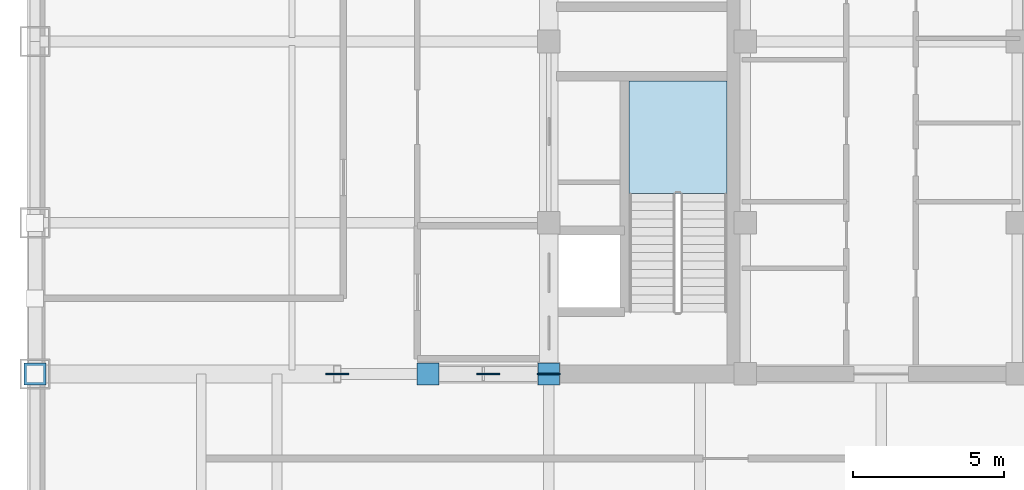
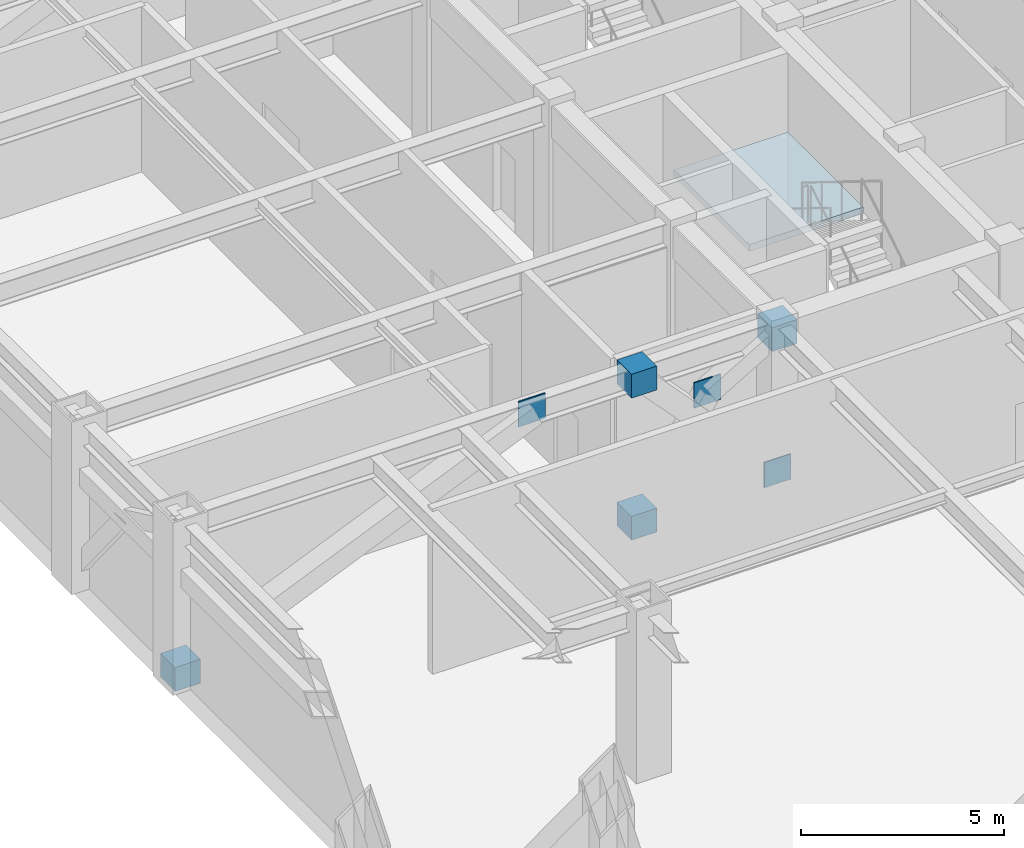
# One storey, part 3 of 11: 7 plates, 1 slab, 1 element without a shape of its own.
"""IFC4 building model written with IfcOpenShell, lengths in metres."""

from ifc_helpers import new_model, si_unit, direction, frame, origin, origin_2d, place, context, subcontext, project, spatial, polyline, rectangle, outline, extrude, source, transform, mapped, material, layer, layer_set, type_object, element, aggregate, save


model = new_model("IFC4")

# Units and contexts
model_context = context("Model", 3, precision=1e-05, world=origin(), true_north=direction((0.0, 1.0)))
body_context = subcontext(model_context, "Body", "Model", "MODEL_VIEW")
ifc_project = project(units=[si_unit("LENGTHUNIT", "METRE"), si_unit("AREAUNIT", "SQUARE_METRE"), si_unit("VOLUMEUNIT", "CUBIC_METRE"), si_unit("PLANEANGLEUNIT", "RADIAN"), si_unit("MASSUNIT", "GRAM", prefix="KILO")], contexts=[model_context])

# Site, building, storey
site_placement = place(None, origin())
site = spatial("IfcSite", under=ifc_project, at=site_placement, CompositionType="ELEMENT")
building_placement = place(site_placement, origin())
building = spatial("IfcBuilding", under=site, at=building_placement, Name="Khorayat Bourse Tower", CompositionType="ELEMENT")
storey_placement = place(building_placement, frame((0.0, 0.0, 268.300048828125)))
storey = spatial("IfcBuildingStorey", under=building, at=storey_placement, Name="L63", CompositionType="ELEMENT", Elevation=268.300048828125)

# Stair, slab
ifc_material_1 = material(Name="Concrete C40/50", Category="concrete")
stair_type = type_object("IfcStairType", Name="STR-CORE-1550", PredefinedType="HALF_TURN_STAIR", material=ifc_material_1)
stair_placement = place(storey_placement, origin())
stair = element("IfcStair", 1, at=stair_placement, inside=storey, type_object=stair_type, Name="L63 Exit Stair ST-1", PredefinedType="HALF_TURN_STAIR")
ifc_layer_1 = layer(ifc_material_1, 0.199951171875)
ifc_layer_set_1 = layer_set([ifc_layer_1], Name="Concrete C40/50")
slab_type = type_object("IfcSlabType", Name="SLB-LANDING-200", PredefinedType="LANDING", material=ifc_layer_set_1)
slab_placement = place(storey_placement, frame((0.0, 0.0, 2.39990234375)))
slab = element("IfcSlab", 2, at=slab_placement, type_object=slab_type, Name="ST-1 landing 1", PredefinedType="LANDING", context=body_context, shape_type="SweptSolid", body=[
    extrude(outline(polyline([(-5.10009765625, -5.030029296875), (-5.10009765625, -1.300048828125), (-8.35009765625, -1.300048828125), (-8.35009765625, -5.030029296875), (-5.10009765625, -5.030029296875)])), origin(), (0.0, 0.0, 1.0), 0.199951171875),
])
aggregate(stair, [slab])

# Plates
ifc_material_2 = material(Name="Steel EN 10025-4 S460M", Category="steel")
ifc_layer_2 = layer(ifc_material_2, 0.0400390625)
ifc_layer_set_2 = layer_set([ifc_layer_2], Name="Steel EN 10025-4 S460M")
plate_type_1 = type_object("IfcPlateType", Name="PLT-GUSSET-40", PredefinedType="USERDEFINED", material=ifc_layer_set_2)
shared_shape_1 = source(origin(), body_context, "Body", "SweptSolid", [
    extrude(rectangle(XDim=0.760009765625, YDim=0.0400390625, at=origin_2d()), origin(), (0.0, 0.0, 1.0), 0.760009765625),
])
for number, where, z_axis, x_axis, name in (
    (3, (-11.0, -11.0, -0.0302734375), (0.0, 0.0, 1.0), (1.0, 0.0, 0.0), "L63 Outrigger Node Gusset Plate 01"),
    (4, (-18.0, -11.0, 4.25), (0.0, 0.0, 1.0), (1.0, 0.0, 0.0), "L63 Outrigger Node Gusset Plate 03"),
    (5, (-13.0, -11.0, 3.06982421875), (0.0, 0.0, 1.0), (1.0, 0.0, 0.0), "L63 Outrigger X-Crossing Central Gusset Plate 05"),
):
    element("IfcPlate", number, at=place(storey_placement, frame(where, z_axis=z_axis, x_axis=x_axis)), inside=storey, type_object=plate_type_1, Name=name, ObjectType="GUSSET PLATE", PredefinedType="USERDEFINED", context=body_context, shape_type="MappedRepresentation", body=[
        mapped(shared_shape_1, transform((0.0, 0.0, 0.0), scale=1.0)),
    ])
ifc_layer_3 = layer(ifc_material_2, 0.031982421875)
ifc_layer_set_3 = layer_set([ifc_layer_3], Name="Steel EN 10025-4 S460M")
plate_type_2 = type_object("IfcPlateType", Name="PLT-GUSSET-32", PredefinedType="USERDEFINED", material=ifc_layer_set_3)
shared_shape_2 = source(origin(), body_context, "Body", "SweptSolid", [
    extrude(rectangle(XDim=0.719970703125, YDim=0.719970703125, at=origin_2d()), origin(), (0.0, 0.0, 1.0), 0.719970703125),
])
for number, where, z_axis, x_axis, name in (
    (6, (-15.0, -11.0, 4.27001953125), (0.0, 0.0, 1.0), (1.0, 0.0, 0.0), "L63 Outrigger Node Gusset Plate 02"),
    (7, (-28.0, -11.0, -0.01025390625), (0.0, 0.0, 1.0), (1.0, 0.0, 0.0), "L63 Outrigger Node Gusset Plate 04"),
    (8, (-11.0, -11.0, 4.27001953125), (0.0, 0.0, 1.0), (1.0, 0.0, 0.0), "L63 Belt Web Sealed Node Block 06"),
    (9, (-15.0, -11.0, -0.01025390625), (0.0, 0.0, 1.0), (1.0, 0.0, 0.0), "L63 Belt Web Sealed Node Block 07"),
):
    element("IfcPlate", number, at=place(storey_placement, frame(where, z_axis=z_axis, x_axis=x_axis)), inside=storey, type_object=plate_type_2, Name=name, ObjectType="GUSSET PLATE", PredefinedType="USERDEFINED", context=body_context, shape_type="MappedRepresentation", body=[
        mapped(shared_shape_2, transform((0.0, 0.0, 0.0), scale=1.0)),
    ])

save(model, "model.ifc")
